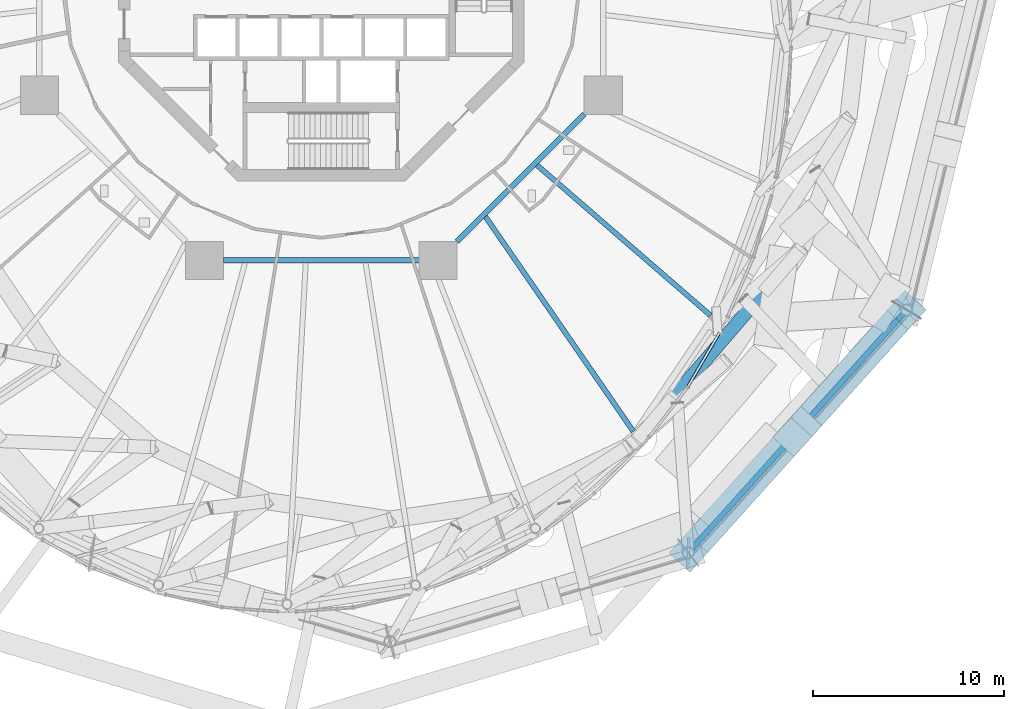
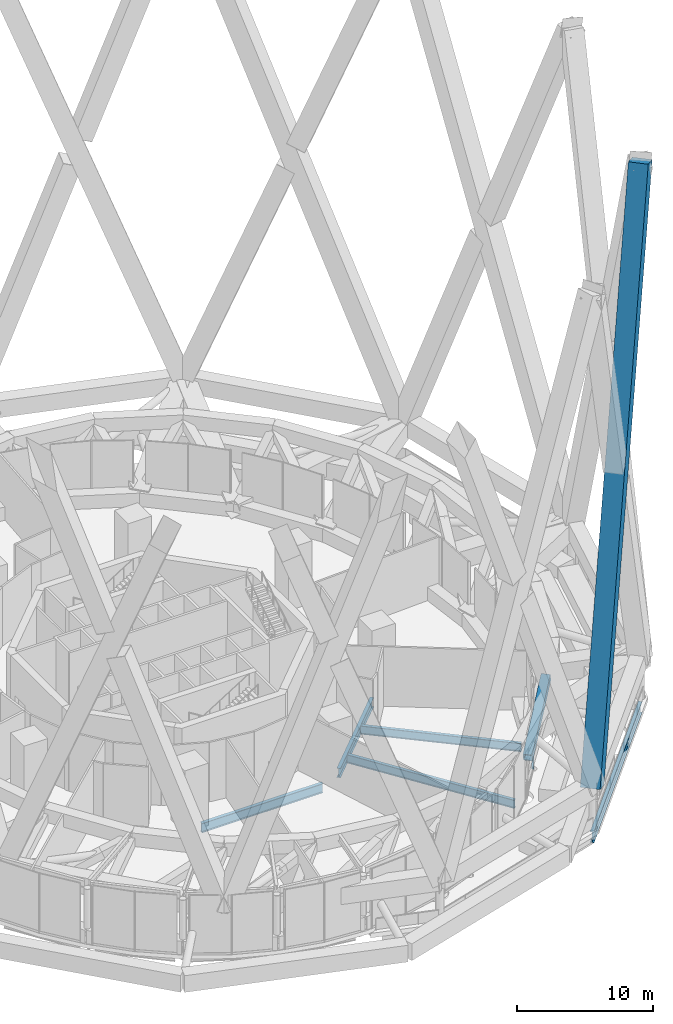
# One storey, part 19 of 49: 6 beams, 2 members, 1 element without a shape of its own.
"""IFC4 building model written with IfcOpenShell, lengths in metres."""

from ifc_helpers import new_model, si_unit, direction, frame, origin, origin_2d, place, context, subcontext, project, spatial, rectangle, hollow_rectangle, i_section, extrude, material, layer, layer_set, material_profile, profile_set, type_object, element, aggregate, save


model = new_model("IFC4")

# Units and contexts
model_context = context("Model", 3, precision=1e-05, world=origin(), true_north=direction((0.0, 1.0)))
body_context = subcontext(model_context, "Body", "Model", "MODEL_VIEW")
ifc_project = project(units=[si_unit("LENGTHUNIT", "METRE"), si_unit("AREAUNIT", "SQUARE_METRE"), si_unit("VOLUMEUNIT", "CUBIC_METRE"), si_unit("PLANEANGLEUNIT", "RADIAN"), si_unit("MASSUNIT", "GRAM", prefix="KILO")], contexts=[model_context])

# Site, building, storey
site_placement = place(None, origin())
site = spatial("IfcSite", under=ifc_project, at=site_placement, CompositionType="ELEMENT")
building_placement = place(site_placement, origin())
building = spatial("IfcBuilding", under=site, at=building_placement, Name="Nagisa Residences", CompositionType="ELEMENT")
storey_placement = place(building_placement, frame((0.0, 0.0, 160.300048828125)))
storey = spatial("IfcBuildingStorey", under=building, at=storey_placement, Name="L40", CompositionType="ELEMENT", Elevation=160.300048828125)

# Beam
ifc_material_1 = material(Name="Steel ASTM A572 Gr 50", Category="steel")
ifc_material_profile_1 = material_profile(ifc_material_1, hollow_rectangle(XDim=0.699951171875, YDim=0.699951171875, WallThickness=0.0400390625, at=origin_2d()), Name="BX 700x700x40")
ifc_profile_set_1 = profile_set([ifc_material_profile_1], Name="Steel ASTM A572 Gr 50")
beam_type_1 = type_object("IfcBeamType", Name="Belt diagonal 3 BX 700x700x40", PredefinedType="BEAM", material=ifc_profile_set_1)
beam_1_placement = place(storey_placement, frame((18.51611328125, -21.89697265625, 1.52490234375), z_axis=(0.621482211139, 0.723069413043, 0.30154682084), x_axis=(-0.758370521916, 0.651823711972, 0.0)))
element("IfcBeam", 1, at=beam_1_placement, inside=storey, type_object=beam_type_1, Name="beam:L40:bt3db22", PredefinedType="BEAM", context=body_context, shape_type="SweptSolid", body=[
    extrude(hollow_rectangle(XDim=0.699951171875, YDim=0.699951171875, WallThickness=0.0400390625, at=origin_2d()), origin(), (0.0, 0.0, 1.0), 7.59423828125),
])

# Curtain wall, member
ifc_material_2 = material(Name="Aluminium curtain wall system", Category="aluminium")
ifc_layer = layer(ifc_material_2, 0.159912109375)
ifc_layer_set = layer_set([ifc_layer], Name="CW2 CURTAIN WALL")
curtain_wall_type = type_object("IfcCurtainWallType", Name="CW2 CURTAIN WALL", PredefinedType="NOTDEFINED", material=ifc_layer_set)
curtain_wall_placement = place(storey_placement, origin())
curtain_wall = element("IfcCurtainWall", 2, at=curtain_wall_placement, inside=storey, type_object=curtain_wall_type, Name="cw:CW2:L40:43", PredefinedType="NOTDEFINED")
ifc_material_3 = material(Name="Aluminium", Category="aluminium")
ifc_material_profile_2 = material_profile(ifc_material_3, rectangle(XDim=0.139892578125, YDim=0.179931640625, at=origin_2d()), Name="CW2 TRANSOM 140x180")
ifc_profile_set_2 = profile_set([ifc_material_profile_2], Name="Aluminium")
member_type_1 = type_object("IfcMemberType", Name="CW2 TRANSOM 140x180", PredefinedType="USERDEFINED", material=ifc_profile_set_2)
member_1_placement = place(storey_placement, frame((19.1826171875, -21.458740234375, 0.08984375), z_axis=(0.506336911457, 0.862335742096, 0.0), x_axis=(-0.862335742096, 0.506336911457, 0.0)))
member_1 = element("IfcMember", 3, at=member_1_placement, type_object=member_type_1, Name="CW2 transom", ObjectType="TRANSOM", PredefinedType="USERDEFINED", context=body_context, shape_type="SweptSolid", body=[
    extrude(rectangle(XDim=0.139892578125, YDim=0.179931640625, at=origin_2d()), origin(), (0.0, 0.0, 1.0), 3.3583984375),
])
aggregate(curtain_wall, [member_1])

# Member
ifc_material_4 = material(Name="Concrete C80", Category="concrete")
ifc_material_profile_3 = material_profile(ifc_material_4, rectangle(XDim=1.5, YDim=1.5, at=origin_2d()), Name="C80 1500x1500")
ifc_profile_set_3 = profile_set([ifc_material_profile_3], Name="Concrete C80")
member_type_2 = type_object("IfcMemberType", Name="Cage diagonal 4 C80 1500x1500", PredefinedType="BRACE", material=ifc_profile_set_3)
member_2_placement = place(storey_placement, frame((19.237548828125, -30.115966796875, 3.699951171875), z_axis=(0.24009418138, 0.266961339343, 0.933320109803), x_axis=(-0.743530948763, 0.668701524024, 0.0)))
element("IfcMember", 4, at=member_2_placement, inside=storey, type_object=member_type_2, Name="mem:L40:cg4d021", PredefinedType="BRACE", context=body_context, shape_type="SweptSolid", body=[
    extrude(rectangle(XDim=1.5, YDim=1.5, at=origin_2d()), origin(), (0.0, 0.0, 1.0), 47.67919921875),
])

# Beams
ifc_material_5 = material(Name="Steel ASTM A572 Gr 50", Category="steel")
ifc_material_profile_4 = material_profile(ifc_material_5, i_section(OverallWidth=0.300048828125, OverallDepth=0.97998046875, WebThickness=0.0166015625, FlangeThickness=0.02587890625, at=origin_2d()), Name="W1000x249")
ifc_profile_set_4 = profile_set([ifc_material_profile_4], Name="Steel ASTM A572 Gr 50")
beam_type_2 = type_object("IfcBeamType", Name="Deck edge beam W1000x249", PredefinedType="BEAM", material=ifc_profile_set_4)
beam_2_placement = place(storey_placement, frame((19.237548828125, -30.115966796875, -0.89013671875), z_axis=(0.668701524024, 0.743530948763, 0.0), x_axis=(-0.743530948763, 0.668701524024, 0.0)))
element("IfcBeam", 5, at=beam_2_placement, inside=storey, type_object=beam_type_2, Name="beam:L40:deckedge09", PredefinedType="BEAM", context=body_context, shape_type="SweptSolid", body=[
    extrude(i_section(OverallWidth=0.300048828125, OverallDepth=0.97998046875, WebThickness=0.0166015625, FlangeThickness=0.02587890625, at=origin_2d()), origin(), (0.0, 0.0, 1.0), 17.118896484375),
])
ifc_material_6 = material(Name="Steel ASTM A572 Gr 50", Category="steel")
ifc_material_profile_5 = material_profile(ifc_material_6, i_section(OverallWidth=0.2919921875, OverallDepth=0.8349609375, WebThickness=0.013916015625, FlangeThickness=0.018798828125, at=origin_2d()), Name="W840x176")
ifc_profile_set_5 = profile_set([ifc_material_profile_5], Name="Steel ASTM A572 Gr 50")
beam_type_3 = type_object("IfcBeamType", Name="Inner ring beam W840x176", PredefinedType="BEAM", material=ifc_profile_set_5)
beam_3_placement = place(storey_placement, frame((-5.142822265625, -14.781982421875, -0.767578125), z_axis=(1.0, 0.0, 0.0), x_axis=(0.0, 1.0, 0.0)))
element("IfcBeam", 6, at=beam_3_placement, inside=storey, type_object=beam_type_3, Name="beam:L40:ib6", PredefinedType="BEAM", context=body_context, shape_type="SweptSolid", body=[
    extrude(i_section(OverallWidth=0.2919921875, OverallDepth=0.8349609375, WebThickness=0.013916015625, FlangeThickness=0.018798828125, at=origin_2d()), origin(), (0.0, 0.0, 1.0), 10.28564453125),
])
beam_4_placement = place(storey_placement, frame((7.10888671875, -13.796142578125, -0.767578125), z_axis=(0.707106781187, 0.707106781187, 0.0), x_axis=(-0.707106781187, 0.707106781187, 0.0)))
element("IfcBeam", 7, at=beam_4_placement, inside=storey, type_object=beam_type_3, Name="beam:L40:ib7", PredefinedType="BEAM", context=body_context, shape_type="SweptSolid", body=[
    extrude(i_section(OverallWidth=0.2919921875, OverallDepth=0.8349609375, WebThickness=0.013916015625, FlangeThickness=0.018798828125, at=origin_2d()), origin(), (0.0, 0.0, 1.0), 9.457275390625),
])
ifc_material_7 = material(Name="Steel ASTM A572 Gr 50", Category="steel")
ifc_material_profile_6 = material_profile(ifc_material_7, i_section(OverallWidth=0.264892578125, OverallDepth=0.7529296875, WebThickness=0.01318359375, FlangeThickness=0.01708984375, at=origin_2d()), Name="W760x147")
ifc_profile_set_6 = profile_set([ifc_material_profile_6], Name="Steel ASTM A572 Gr 50")
beam_type_4 = type_object("IfcBeamType", Name="Radial beam W760x147", PredefinedType="BEAM", material=ifc_profile_set_6)
beam_5_placement = place(storey_placement, frame((16.357666015625, -23.74951171875, -0.7265625), z_axis=(-0.567232338802, 0.823557814496, 0.0), x_axis=(-0.823557814496, -0.567232338802, 0.0)))
element("IfcBeam", 8, at=beam_5_placement, inside=storey, type_object=beam_type_4, Name="beam:L40:rb22", PredefinedType="BEAM", context=body_context, shape_type="SweptSolid", body=[
    extrude(i_section(OverallWidth=0.264892578125, OverallDepth=0.7529296875, WebThickness=0.01318359375, FlangeThickness=0.01708984375, at=origin_2d()), origin(), (0.0, 0.0, 1.0), 13.67822265625),
])
beam_6_placement = place(storey_placement, frame((20.41162109375, -17.6748046875, -0.7265625), z_axis=(-0.755973027561, 0.654602766263, 0.0), x_axis=(-0.654602766263, -0.755973027561, 0.0)))
element("IfcBeam", 9, at=beam_6_placement, inside=storey, type_object=beam_type_4, Name="beam:L40:rb23", PredefinedType="BEAM", context=body_context, shape_type="SweptSolid", body=[
    extrude(i_section(OverallWidth=0.264892578125, OverallDepth=0.7529296875, WebThickness=0.01318359375, FlangeThickness=0.01708984375, at=origin_2d()), origin(), (0.0, 0.0, 1.0), 12.053955078125),
])

save(model, "model.ifc")
